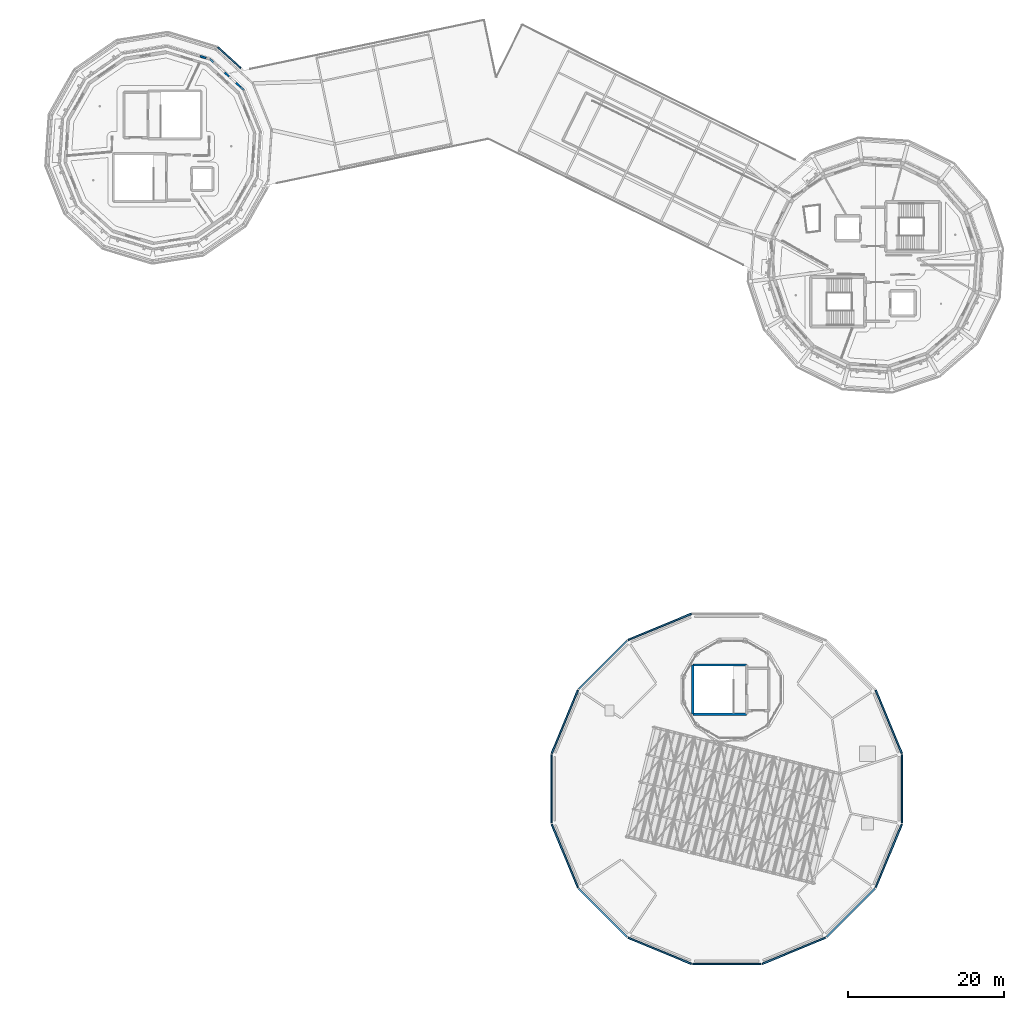
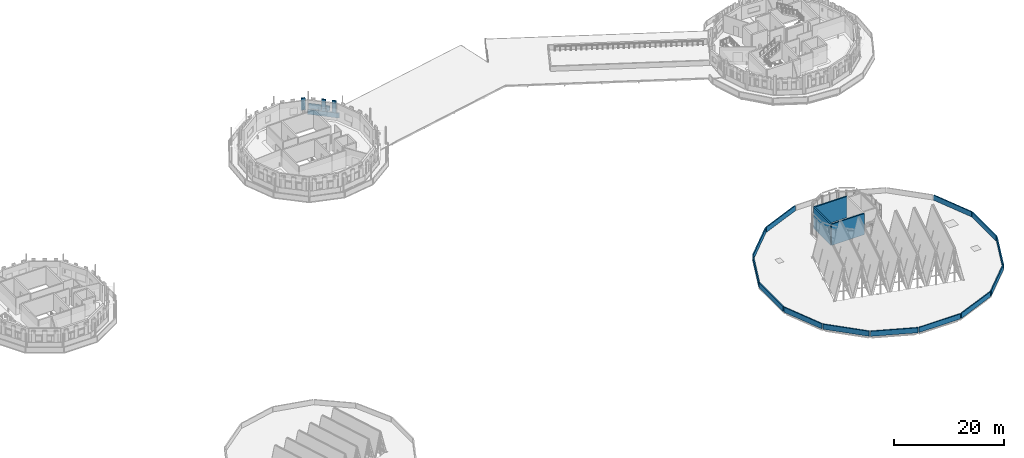
# One storey, part 41 of 51: 21 walls.
"""IFC4 building model written with IfcOpenShell, lengths in metres."""

import ifcopenshell
import ifcopenshell.guid

model = None  # the IFC model being written
_history = None  # IfcOwnerHistory: only IFC2X3 demands one
_inside = {}  # id of a spatial element -> (the spatial element, [elements in it])
_under = {}  # id of a project, library or spatial element -> (it, [spatial elements below it])
_declared = {}  # id of a project -> (the project, [libraries it declares])
_typed = {}  # id of a type object -> (the type object, [elements of that type])
_made_of = {}  # id of a material, layer set ... -> (it, [elements and type objects made of it])


def new_model(schema):
    """Start an empty IFC model of exactly this schema.

    Asked for "IFC4X3", IfcOpenShell would pick the latest addendum, in which some entities
    have other attributes; the version numbers below select the first issue.
    IFC2X3 requires an IfcOwnerHistory on every rooted entity: one is made here for all.
    """
    global model, _history
    if schema == "IFC4X3":
        model = ifcopenshell.file(schema_version=(4, 3, 0, 0))
    else:
        model = ifcopenshell.file(schema=schema)
    _inside.clear()
    _under.clear()
    _declared.clear()
    _typed.clear()
    _made_of.clear()
    _history = None
    if model.schema == "IFC2X3":
        org = make("IfcOrganization", Name="unknown")
        user = make(
            "IfcPersonAndOrganization",
            ThePerson=make("IfcPerson", FamilyName="unknown"),
            TheOrganization=org,
        )
        app = make(
            "IfcApplication",
            ApplicationDeveloper=org,
            Version="unknown",
            ApplicationFullName="unknown",
            ApplicationIdentifier="unknown",
        )
        _history = make(
            "IfcOwnerHistory",
            OwningUser=user,
            OwningApplication=app,
            ChangeAction="ADDED",
            CreationDate=0,
        )
    return model


def make(cls, **values):
    """One entity of the class cls with the attributes given. An attribute that is None is left unset."""
    return model.create_entity(
        cls, **{name: value for name, value in values.items() if value is not None}
    )


def rooted(cls, **values):
    """An entity with a GlobalId (a new one), such as an element, a storey or a relation."""
    return make(cls, GlobalId=ifcopenshell.guid.new(), OwnerHistory=_history, **values)


def si_unit(unit_type, name, prefix=None):
    """IfcSIUnit, for example si_unit("LENGTHUNIT", "METRE", prefix="MILLI")."""
    return make("IfcSIUnit", UnitType=unit_type, Prefix=prefix, Name=name)


def assignment(units):
    """IfcUnitAssignment: the units of a project."""
    return None if units is None else make("IfcUnitAssignment", Units=units)


def point(xyz):
    """IfcCartesianPoint."""
    return None if xyz is None else make("IfcCartesianPoint", Coordinates=xyz)


def direction(xyz):
    """IfcDirection."""
    return None if xyz is None else make("IfcDirection", DirectionRatios=xyz)


def frame(location, z_axis=None, x_axis=None):
    """IfcAxis2Placement3D, a coordinate frame: its origin and axes. An axis left out is left unset."""
    return make(
        "IfcAxis2Placement3D",
        Location=point(location),
        Axis=direction(z_axis),
        RefDirection=direction(x_axis),
    )


def frame_2d(location, x_axis=None):
    """IfcAxis2Placement2D, a coordinate frame in the plane: its origin and x axis."""
    return make(
        "IfcAxis2Placement2D", Location=point(location), RefDirection=direction(x_axis)
    )


def origin():
    """The frame at (0, 0, 0) with its axes left unset."""
    return frame((0.0, 0.0, 0.0))


def place(relative_to, where):
    """IfcLocalPlacement: puts the frame where relative to a parent placement (None: the world)."""
    return make(
        "IfcLocalPlacement", PlacementRelTo=relative_to, RelativePlacement=where
    )


def context(
    kind, dimensions, precision=None, world=None, true_north=None, identifier=None
):
    """IfcGeometricRepresentationContext, for example the 3D "Model" context."""
    return make(
        "IfcGeometricRepresentationContext",
        ContextIdentifier=identifier,
        ContextType=kind,
        CoordinateSpaceDimension=dimensions,
        Precision=precision,
        WorldCoordinateSystem=world,
        TrueNorth=true_north,
    )


def subcontext(parent, identifier, kind, view, scale=None):
    """IfcGeometricRepresentationSubContext, for example "Body" below "Model"."""
    return make(
        "IfcGeometricRepresentationSubContext",
        ContextIdentifier=identifier,
        ContextType=kind,
        ParentContext=parent,
        TargetScale=scale,
        TargetView=view,
    )


def project(units=None, contexts=None):
    """IfcProject with its units and contexts."""
    return rooted(
        "IfcProject",
        Name="project",
        RepresentationContexts=contexts,
        UnitsInContext=assignment(units),
    )


def spatial(cls, under=None, at=None, **own):
    """A site, building, storey or space (cls), placed at a placement, below another one or the project."""
    s = rooted(cls, ObjectPlacement=at, **own)
    if under is not None:
        _under.setdefault(under.id(), (under, []))[1].append(s)
    return s


def profile(cls, at=None, kind="AREA", **sizes):
    """A parametric profile (cls). Its sizes go by their IFC names, for example OverallWidth=200.0."""
    return make(cls, ProfileType=kind, Position=at, **sizes)


def rectangle(**sizes):
    """IfcRectangleProfileDef."""
    return profile("IfcRectangleProfileDef", **sizes)


def extrude(swept, where, along, depth):
    """IfcExtrudedAreaSolid: the profile swept, set in the frame where, extruded along a direction by depth."""
    return make(
        "IfcExtrudedAreaSolid",
        SweptArea=swept,
        Position=where,
        ExtrudedDirection=direction(along),
        Depth=depth,
    )


def shape(context_of_items, identifier, shape_type, items):
    """IfcShapeRepresentation: the items that make up one representation, for example the "Body"."""
    return make(
        "IfcShapeRepresentation",
        ContextOfItems=context_of_items,
        RepresentationIdentifier=identifier,
        RepresentationType=shape_type,
        Items=items,
    )


def material(Name=None, Category=None):
    """IfcMaterial."""
    return make("IfcMaterial", Name=Name, Category=Category)


def layer(
    of_material, thickness, ventilated=None, Name=None, Category=None, Priority=None
):
    """IfcMaterialLayer: one layer of a wall or slab, of a material (None: an air gap)."""
    return make(
        "IfcMaterialLayer",
        Material=of_material,
        LayerThickness=thickness,
        IsVentilated=ventilated,
        Name=Name,
        Category=Category,
        Priority=Priority,
    )


def layer_set(layers, Name=None):
    """IfcMaterialLayerSet."""
    return make("IfcMaterialLayerSet", MaterialLayers=layers, LayerSetName=Name)


def made_of(thing, what):
    """Note that an element or type object is made of a material, layer set ...; save() writes the relation."""
    if what is not None:
        _made_of.setdefault(what.id(), (what, []))[1].append(thing)
    return thing


def type_object(cls, material=None, **own):
    """A type object (cls), such as IfcWallType, which elements share."""
    return made_of(rooted(cls, **own), material)


def element(
    cls,
    number,
    at=None,
    inside=None,
    cuts=None,
    type_object=None,
    material=None,
    context=None,
    identifier="Body",
    shape_type=None,
    held_by="IfcProductDefinitionShape",
    body=None,
    shapes=None,
    **own,
):
    """One element of the class cls, such as IfcWall. Its Tag is "e" and its number.

    at: its placement. inside: the storey or other place that contains it. cuts: it is an
    opening in that element (IfcRelVoidsElement). A single representation is given by context,
    identifier, shape_type and body (its items); several are given by shapes. held_by: the class
    of the entity that holds the representations. save() writes the other relations.
    """
    e = rooted(cls, Tag="e%d" % number, ObjectPlacement=at, **own)
    if body is not None:
        shapes = [shape(context, identifier, shape_type, body)]
    if shapes is not None:
        e.Representation = make(held_by, Representations=shapes)
    if inside is not None:
        _inside.setdefault(inside.id(), (inside, []))[1].append(e)
    if cuts is not None:
        rooted(
            "IfcRelVoidsElement", RelatingBuildingElement=cuts, RelatedOpeningElement=e
        )
    if type_object is not None:
        _typed.setdefault(type_object.id(), (type_object, []))[1].append(e)
    return made_of(e, material)


def aggregate(whole, parts):
    """IfcRelAggregates: a whole, such as a stair, and the parts it consists of."""
    return rooted("IfcRelAggregates", RelatingObject=whole, RelatedObjects=parts)


def save(model, path):
    """Write the relations noted so far, then the file.

    IfcRelAggregates (storeys below a building ...), IfcRelContainedInSpatialStructure (elements
    in a storey), IfcRelDefinesByType, IfcRelAssociatesMaterial and IfcRelDeclares: one each for
    every whole, place, type object, material and project.
    """
    for whole, parts in _under.values():
        aggregate(whole, parts)
    for where, things in _inside.values():
        rooted(
            "IfcRelContainedInSpatialStructure",
            RelatedElements=things,
            RelatingStructure=where,
        )
    for kind, things in _typed.values():
        rooted("IfcRelDefinesByType", RelatedObjects=things, RelatingType=kind)
    for what, things in _made_of.values():
        rooted("IfcRelAssociatesMaterial", RelatedObjects=things, RelatingMaterial=what)
    for by, libraries in _declared.values():
        rooted("IfcRelDeclares", RelatingContext=by, RelatedDefinitions=libraries)
    model.write(path)


model = new_model("IFC4")

# Units and contexts
model_context = context("Model", 3, precision=1e-05, world=origin(), true_north=direction((0.0, 1.0)))
body_context = subcontext(model_context, "Body", "Model", "MODEL_VIEW")
ifc_project = project(units=[si_unit("LENGTHUNIT", "METRE"), si_unit("AREAUNIT", "SQUARE_METRE"), si_unit("VOLUMEUNIT", "CUBIC_METRE"), si_unit("PLANEANGLEUNIT", "RADIAN"), si_unit("MASSUNIT", "GRAM", prefix="KILO")], contexts=[model_context])

# Site, building, storey
site_placement = place(None, origin())
site = spatial("IfcSite", under=ifc_project, at=site_placement, CompositionType="ELEMENT")
building_placement = place(site_placement, origin())
building = spatial("IfcBuilding", under=site, at=building_placement, Name="Wrenclough Park School", CompositionType="ELEMENT")
storey_placement = place(building_placement, frame((0.0, 0.0, 16.800048828125)))
storey = spatial("IfcBuildingStorey", under=building, at=storey_placement, Name="L04", CompositionType="ELEMENT", Elevation=16.800048828125)

# Walls
ifc_material_1 = material(Name="Perforated open-bond Staffordshire and Manchester brick screen pier", Category="masonry")
ifc_layer_1 = layer(ifc_material_1, 0.2451171875)
ifc_layer_set_1 = layer_set([ifc_layer_1], Name="Perforated open-bond Staffordshire and Manchester brick screen pier")
wall_type_1 = type_object("IfcWallType", Name="ENV-BS-PR245", PredefinedType="ELEMENTEDWALL", material=ifc_layer_set_1)
wall_1_placement = place(storey_placement, frame((93.286865234375, 116.28857421875, 1.08984375), z_axis=(0.0, 0.0, 1.0), x_axis=(-0.738193334464, 0.67458920904, 0.0)))
element("IfcWall", 1, at=wall_1_placement, inside=storey, type_object=wall_type_1, Name="D4 L04 perforated brick screen pier 0923", PredefinedType="ELEMENTEDWALL", context=body_context, shape_type="SweptSolid", body=[
    extrude(rectangle(XDim=0.760009765625, YDim=0.2451171875, at=frame_2d((0.3798828125, 0.0))), origin(), (0.0, 0.0, 1.0), 2.650146484375),
])
wall_2_placement = place(storey_placement, frame((91.84130859375, 117.609619140625, 1.08984375), z_axis=(0.0, 0.0, 1.0), x_axis=(-0.738047098779, 0.674749197839, 0.0)))
element("IfcWall", 2, at=wall_2_placement, inside=storey, type_object=wall_type_1, Name="D4 L04 perforated brick screen pier 0924", PredefinedType="ELEMENTEDWALL", context=body_context, shape_type="SweptSolid", body=[
    extrude(rectangle(XDim=0.759765625, YDim=0.2451171875, at=frame_2d((0.3798828125, 0.0))), origin(), (0.0, 0.0, 1.0), 2.650146484375),
])
wall_3_placement = place(storey_placement, frame((88.888671875, 119.98046875, 1.08984375), z_axis=(0.0, 0.0, 1.0), x_axis=(-0.957675839893, 0.287848893842, 0.0)))
element("IfcWall", 3, at=wall_3_placement, inside=storey, type_object=wall_type_1, Name="D4 L04 perforated brick screen pier 0926", PredefinedType="ELEMENTEDWALL", context=body_context, shape_type="SweptSolid", body=[
    extrude(rectangle(XDim=0.760009765625, YDim=0.2451171875, at=frame_2d((0.3798828125, 0.0))), origin(), (0.0, 0.0, 1.0), 2.650146484375),
])
ifc_material_2 = material(Name="Open-bond Manchester multi-stock brick spandrel screen", Category="masonry")
ifc_layer_2 = layer(ifc_material_2, 0.22509765625)
ifc_layer_set_2 = layer_set([ifc_layer_2], Name="Open-bond Manchester multi-stock brick spandrel screen")
wall_type_2 = type_object("IfcWallType", Name="ENV-BS-SP225", PredefinedType="ELEMENTEDWALL", material=ifc_layer_set_2)
wall_4_placement = place(storey_placement, frame((93.72900390625, 115.88427734375, 0.0), z_axis=(0.0, 0.0, 1.0), x_axis=(-0.738124598453, 0.67466441818, 0.0)))
element("IfcWall", 4, at=wall_4_placement, inside=storey, type_object=wall_type_2, Name="D4 L04 open-bond brick screen spandrel 0253", PredefinedType="ELEMENTEDWALL", context=body_context, shape_type="SweptSolid", body=[
    extrude(rectangle(XDim=5.87451171875, YDim=0.22509765625, at=frame_2d((2.937255859375, 0.0))), origin(), (0.0, 0.0, 1.0), 1.08984375),
])
ifc_material_3 = material(Name="Patinated copper-coped link roof parapet", Category="masonry")
ifc_layer_3 = layer(ifc_material_3, 0.18994140625)
ifc_layer_set_3 = layer_set([ifc_layer_3], Name="Patinated copper-coped link roof parapet")
wall_type_3 = type_object("IfcWallType", Name="ENV-PW-190", PredefinedType="PARAPET", material=ifc_layer_set_3)
wall_5_placement = place(storey_placement, frame((93.32470703125, 118.7060546875, 0.0), z_axis=(0.0, 0.0, 1.0), x_axis=(-0.738168520686, 0.6746163614, 0.0)))
element("IfcWall", 5, at=wall_5_placement, inside=storey, type_object=wall_type_3, Name="D4-STEP-ROOF cylindrical drum parapet wall 043", PredefinedType="PARAPET", context=body_context, shape_type="SweptSolid", body=[
    extrude(rectangle(XDim=3.952880859375, YDim=0.18994140625, at=frame_2d((1.9765625, 0.0))), origin(), (0.0, 0.0, 1.0), 1.119873046875),
])
ifc_material_4 = material(Name="Capped Staffordshire blue-grey brick parapet", Category="masonry")
ifc_layer_4 = layer(ifc_material_4, 0.215087890625)
ifc_layer_set_4 = layer_set([ifc_layer_4], Name="Capped Staffordshire blue-grey brick parapet")
wall_type_4 = type_object("IfcWallType", Name="ENV-PW-215", PredefinedType="PARAPET", material=ifc_layer_set_4)
for number, where, z_axis, x_axis, name in (
    (6, (177.885009765625, 31.04541015625, 0.0), (0.0, 0.0, 1.0), (-0.382679317782, 0.923881236817, 0.0), "D1-ROOF-RING cylindrical drum parapet wall 001"),
    (7, (150.95458984375, 48.885009765625, 0.0), (0.0, 0.0, 1.0), (-0.923881236817, -0.382679317782, 0.0), "D1-ROOF-RING cylindrical drum parapet wall 005"),
):
    element("IfcWall", number, at=place(storey_placement, frame(where, z_axis=z_axis, x_axis=x_axis)), inside=storey, type_object=wall_type_4, Name=name, PredefinedType="PARAPET", context=body_context, shape_type="SweptSolid", body=[
        extrude(rectangle(XDim=8.73388671875, YDim=0.215087890625, at=frame_2d((4.366943359375, 0.0))), origin(), (0.0, 0.0, 1.0), 1.119873046875),
    ])
wall_6_placement = place(storey_placement, frame((142.734375, 45.441650390625, 0.0), z_axis=(0.0, 0.0, 1.0), x_axis=(-0.707106781187, -0.707106781187, 0.0)))
element("IfcWall", 8, at=wall_6_placement, inside=storey, type_object=wall_type_4, Name="D1-ROOF-RING cylindrical drum parapet wall 006", PredefinedType="PARAPET", context=body_context, shape_type="SweptSolid", body=[
    extrude(rectangle(XDim=8.734130859375, YDim=0.215087890625, at=frame_2d((4.3671875, 0.0))), origin(), (0.0, 0.0, 1.0), 1.119873046875),
])
wall_7_placement = place(storey_placement, frame((136.457275390625, 39.114501953125, 0.0), z_axis=(0.0, 0.0, 1.0), x_axis=(-0.382679317782, -0.923881236817, 0.0)))
element("IfcWall", 9, at=wall_7_placement, inside=storey, type_object=wall_type_4, Name="D1-ROOF-RING cylindrical drum parapet wall 007", PredefinedType="PARAPET", context=body_context, shape_type="SweptSolid", body=[
    extrude(rectangle(XDim=8.73388671875, YDim=0.215087890625, at=frame_2d((4.366943359375, 0.0))), origin(), (0.0, 0.0, 1.0), 1.119873046875),
])
wall_8_placement = place(storey_placement, frame((133.079345703125, 30.8671875, 0.0), z_axis=(0.0, 0.0, 1.0), x_axis=(0.0, -1.0, 0.0)))
element("IfcWall", 10, at=wall_8_placement, inside=storey, type_object=wall_type_4, Name="D1-ROOF-RING cylindrical drum parapet wall 008", PredefinedType="PARAPET", context=body_context, shape_type="SweptSolid", body=[
    extrude(rectangle(XDim=8.734375, YDim=0.215087890625, at=frame_2d((4.3671875, 0.0))), origin(), (0.0, 0.0, 1.0), 1.119873046875),
])
wall_9_placement = place(storey_placement, frame((133.114990234375, 21.95458984375, 0.0), z_axis=(0.0, 0.0, 1.0), x_axis=(0.382679317782, -0.923881236817, 0.0)))
element("IfcWall", 11, at=wall_9_placement, inside=storey, type_object=wall_type_4, Name="D1-ROOF-RING cylindrical drum parapet wall 009", PredefinedType="PARAPET", context=body_context, shape_type="SweptSolid", body=[
    extrude(rectangle(XDim=8.73388671875, YDim=0.215087890625, at=frame_2d((4.366943359375, 0.0))), origin(), (0.0, 0.0, 1.0), 1.119873046875),
])
wall_10_placement = place(storey_placement, frame((136.558349609375, 13.734375, 0.0), z_axis=(0.0, 0.0, 1.0), x_axis=(0.707106781187, -0.707106781187, 0.0)))
element("IfcWall", 12, at=wall_10_placement, inside=storey, type_object=wall_type_4, Name="D1-ROOF-RING cylindrical drum parapet wall 010", PredefinedType="PARAPET", context=body_context, shape_type="SweptSolid", body=[
    extrude(rectangle(XDim=8.734130859375, YDim=0.215087890625, at=frame_2d((4.3671875, 0.0))), origin(), (0.0, 0.0, 1.0), 1.119873046875),
])
wall_11_placement = place(storey_placement, frame((142.885498046875, 7.457275390625, 0.0), z_axis=(0.0, 0.0, 1.0), x_axis=(0.923881236817, -0.382679317782, 0.0)))
element("IfcWall", 13, at=wall_11_placement, inside=storey, type_object=wall_type_4, Name="D1-ROOF-RING cylindrical drum parapet wall 011", PredefinedType="PARAPET", context=body_context, shape_type="SweptSolid", body=[
    extrude(rectangle(XDim=8.73388671875, YDim=0.215087890625, at=frame_2d((4.366943359375, 0.0))), origin(), (0.0, 0.0, 1.0), 1.119873046875),
])
wall_12_placement = place(storey_placement, frame((151.1328125, 4.079345703125, 0.0), z_axis=(0.0, 0.0, 1.0), x_axis=(1.0, 0.0, 0.0)))
element("IfcWall", 14, at=wall_12_placement, inside=storey, type_object=wall_type_4, Name="D1-ROOF-RING cylindrical drum parapet wall 012", PredefinedType="PARAPET", context=body_context, shape_type="SweptSolid", body=[
    extrude(rectangle(XDim=8.734375, YDim=0.215087890625, at=frame_2d((4.3671875, 0.0))), origin(), (0.0, 0.0, 1.0), 1.119873046875),
])
wall_13_placement = place(storey_placement, frame((160.04541015625, 4.114990234375, 0.0), z_axis=(0.0, 0.0, 1.0), x_axis=(0.923881236817, 0.382679317782, 0.0)))
element("IfcWall", 15, at=wall_13_placement, inside=storey, type_object=wall_type_4, Name="D1-ROOF-RING cylindrical drum parapet wall 013", PredefinedType="PARAPET", context=body_context, shape_type="SweptSolid", body=[
    extrude(rectangle(XDim=8.73388671875, YDim=0.215087890625, at=frame_2d((4.366943359375, 0.0))), origin(), (0.0, 0.0, 1.0), 1.119873046875),
])
wall_14_placement = place(storey_placement, frame((168.265625, 7.558349609375, 0.0), z_axis=(0.0, 0.0, 1.0), x_axis=(0.707106781187, 0.707106781187, 0.0)))
element("IfcWall", 16, at=wall_14_placement, inside=storey, type_object=wall_type_4, Name="D1-ROOF-RING cylindrical drum parapet wall 014", PredefinedType="PARAPET", context=body_context, shape_type="SweptSolid", body=[
    extrude(rectangle(XDim=8.734130859375, YDim=0.215087890625, at=frame_2d((4.3671875, 0.0))), origin(), (0.0, 0.0, 1.0), 1.119873046875),
])
wall_15_placement = place(storey_placement, frame((174.542724609375, 13.885498046875, 0.0), z_axis=(0.0, 0.0, 1.0), x_axis=(0.382679317782, 0.923881236817, 0.0)))
element("IfcWall", 17, at=wall_15_placement, inside=storey, type_object=wall_type_4, Name="D1-ROOF-RING cylindrical drum parapet wall 015", PredefinedType="PARAPET", context=body_context, shape_type="SweptSolid", body=[
    extrude(rectangle(XDim=8.73388671875, YDim=0.215087890625, at=frame_2d((4.366943359375, 0.0))), origin(), (0.0, 0.0, 1.0), 1.119873046875),
])
wall_16_placement = place(storey_placement, frame((177.920654296875, 22.1328125, 0.0), z_axis=(0.0, 0.0, 1.0), x_axis=(0.0, 1.0, 0.0)))
element("IfcWall", 18, at=wall_16_placement, inside=storey, type_object=wall_type_4, Name="D1-ROOF-RING cylindrical drum parapet wall 016", PredefinedType="PARAPET", context=body_context, shape_type="SweptSolid", body=[
    extrude(rectangle(XDim=8.734375, YDim=0.215087890625, at=frame_2d((4.3671875, 0.0))), origin(), (0.0, 0.0, 1.0), 1.119873046875),
])
ifc_material_5 = material(Name="Concrete C40/50", Category="concrete")
ifc_layer_5 = layer(ifc_material_5, 0.2900390625)
ifc_layer_set_5 = layer_set([ifc_layer_5], Name="Concrete C40/50")
wall_type_5 = type_object("IfcWallType", Name="INT-CW-290", PredefinedType="SHEAR", material=ifc_layer_set_5)
for number, where, z_axis, x_axis, name in (
    (19, (151.155029296875, 36.054931640625, 0.0), (0.0, 0.0, 1.0), (1.0, 0.0, 0.0), "Core C1 L04 south shear wall"),
    (20, (158.044921875, 42.344970703125, 0.0), (0.0, 0.0, 1.0), (-1.0, 0.0, 0.0), "Core C1 L04 north shear wall"),
):
    element("IfcWall", number, at=place(storey_placement, frame(where, z_axis=z_axis, x_axis=x_axis)), inside=storey, type_object=wall_type_5, Name=name, PredefinedType="SHEAR", context=body_context, shape_type="SweptSolid", body=[
        extrude(rectangle(XDim=6.889892578125, YDim=0.2900390625, at=frame_2d((3.44482421875, 0.0))), origin(), (0.0, 0.0, 1.0), 4.699951171875),
    ])
wall_17_placement = place(storey_placement, frame((151.155029296875, 42.344970703125, 0.0), z_axis=(0.0, 0.0, 1.0), x_axis=(0.0, -1.0, 0.0)))
element("IfcWall", 21, at=wall_17_placement, inside=storey, type_object=wall_type_5, Name="Core C1 L04 west shear wall", PredefinedType="SHEAR", context=body_context, shape_type="SweptSolid", body=[
    extrude(rectangle(XDim=6.2900390625, YDim=0.2900390625, at=frame_2d((3.14501953125, 0.0))), origin(), (0.0, 0.0, 1.0), 4.699951171875),
])

save(model, "model.ifc")
